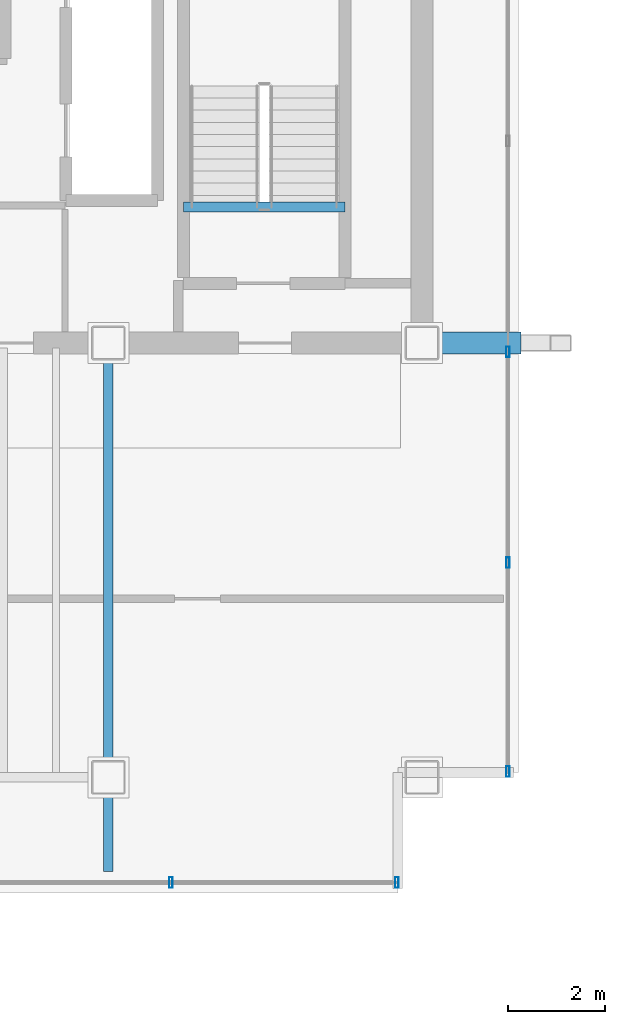
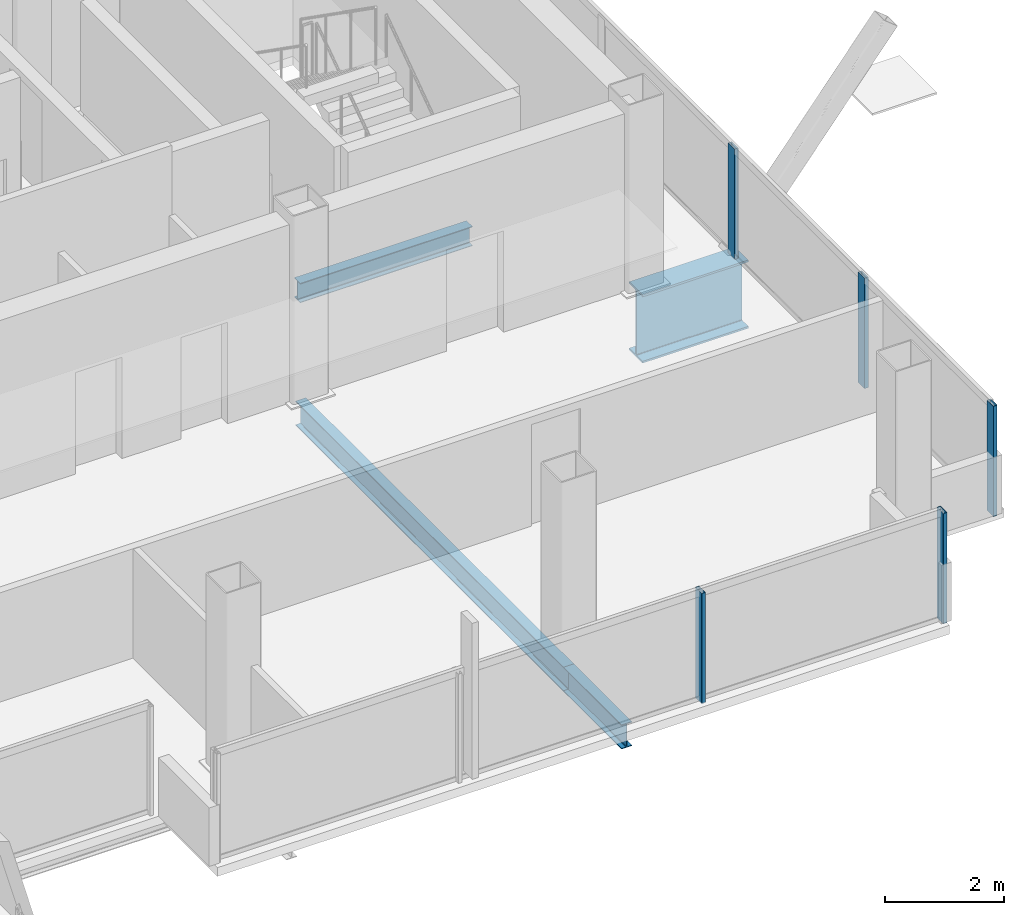
# One storey, part 10 of 16: 5 members, 4 beams, 2 elements without a shape of their own.
"""IFC4 building model written with IfcOpenShell, lengths in metres."""

from ifc_helpers import new_model, si_unit, direction, frame, origin, origin_2d, place, context, subcontext, project, spatial, hollow_rectangle, i_section, extrude, material, material_profile, profile_set, type_object, element, aggregate, save


model = new_model("IFC4")

# Units and contexts
model_context = context("Model", 3, precision=1e-05, world=origin(), true_north=direction((0.0, 1.0)))
body_context = subcontext(model_context, "Body", "Model", "MODEL_VIEW")
ifc_project = project(units=[si_unit("LENGTHUNIT", "METRE"), si_unit("AREAUNIT", "SQUARE_METRE"), si_unit("VOLUMEUNIT", "CUBIC_METRE"), si_unit("PLANEANGLEUNIT", "RADIAN"), si_unit("MASSUNIT", "GRAM", prefix="KILO")], contexts=[model_context])

# Site, building, storey
site_placement = place(None, origin())
site = spatial("IfcSite", under=ifc_project, at=site_placement, CompositionType="ELEMENT")
building_placement = place(site_placement, origin())
building = spatial("IfcBuilding", under=site, at=building_placement, Name="Noeulbin Bourse Tower", CompositionType="ELEMENT")
storey_placement = place(building_placement, frame((0.0, 0.0, 277.39990234375)))
storey = spatial("IfcBuildingStorey", under=building, at=storey_placement, Name="L69", CompositionType="ELEMENT", Elevation=277.39990234375)

# Beams
ifc_material_1 = material(Name="Steel S355", Category="steel")
ifc_material_profile_1 = material_profile(ifc_material_1, i_section(OverallWidth=0.199951171875, OverallDepth=0.5, WebThickness=0.010009765625, FlangeThickness=0.01611328125, FilletRadius=0.02001953125, at=origin_2d()), Name="H-500x200x10x16", Category="LoadBearing")
ifc_profile_set_1 = profile_set([ifc_material_profile_1], Name="Steel S355")
beam_type_1 = type_object("IfcBeamType", Name="BM-GRD-500", PredefinedType="USERDEFINED", material=ifc_profile_set_1)
beam_1_placement = place(storey_placement, frame((37.5, 18.050048828125, -0.429931640625), z_axis=(0.0, 1.0, 0.0), x_axis=(-1.0, 0.0, 0.0)))
element("IfcBeam", 1, at=beam_1_placement, inside=storey, type_object=beam_type_1, Name="Tower Primary Girder NS L69-4.1", ObjectType="GIRDER", PredefinedType="USERDEFINED", context=body_context, shape_type="SweptSolid", body=[
    extrude(i_section(OverallWidth=0.199951171875, OverallDepth=0.5, WebThickness=0.010009765625, FlangeThickness=0.01611328125, FilletRadius=0.02001953125, at=origin_2d()), origin(), (0.0, 0.0, 1.0), 1.949951171875),
])
beam_2_placement = place(storey_placement, frame((37.5, 20.0, -0.429931640625), z_axis=(0.0, 1.0, 0.0), x_axis=(-1.0, 0.0, 0.0)))
element("IfcBeam", 2, at=beam_2_placement, inside=storey, type_object=beam_type_1, Name="Tower Primary Girder NS L69-4.2", ObjectType="GIRDER", PredefinedType="USERDEFINED", context=body_context, shape_type="SweptSolid", body=[
    extrude(i_section(OverallWidth=0.199951171875, OverallDepth=0.5, WebThickness=0.010009765625, FlangeThickness=0.01611328125, FilletRadius=0.02001953125, at=origin_2d()), origin(), (0.0, 0.0, 1.0), 9.0),
])
ifc_material_profile_2 = material_profile(ifc_material_1, i_section(OverallWidth=0.199951171875, OverallDepth=0.39990234375, WebThickness=0.008056640625, FlangeThickness=0.012939453125, FilletRadius=0.01611328125, at=origin_2d()), Name="H-400x200x8x13", Category="LoadBearing")
ifc_profile_set_2 = profile_set([ifc_material_profile_2], Name="Steel S355")
beam_type_2 = type_object("IfcBeamType", Name="BM-SEC-400", PredefinedType="BEAM", material=ifc_profile_set_2)
beam_3_placement = place(storey_placement, frame((39.06005859375, 31.820068359375, -0.199951171875), z_axis=(1.0, 0.0, 0.0), x_axis=(0.0, 1.0, 0.0)))
element("IfcBeam", 3, at=beam_3_placement, inside=storey, type_object=beam_type_2, Name="Stair Threshold Trimmer Beam ST2-L69", PredefinedType="BEAM", context=body_context, shape_type="SweptSolid", body=[
    extrude(i_section(OverallWidth=0.199951171875, OverallDepth=0.39990234375, WebThickness=0.008056640625, FlangeThickness=0.012939453125, FilletRadius=0.01611328125, at=origin_2d()), origin(), (0.0, 0.0, 1.0), 3.33984375),
])
ifc_material_2 = material(Name="Steel S460", Category="steel")
ifc_material_profile_3 = material_profile(ifc_material_2, i_section(OverallWidth=0.449951171875, OverallDepth=1.39990234375, WebThickness=0.02392578125, FlangeThickness=0.0400390625, FilletRadius=0.02392578125, at=origin_2d()), Name="PG-1400x450x24x40", Category="LoadBearing")
ifc_profile_set_3 = profile_set([ifc_material_profile_3], Name="Steel S460")
beam_type_3 = type_object("IfcBeamType", Name="BM-TRF-1400", PredefinedType="USERDEFINED", material=ifc_profile_set_3)
beam_4_placement = place(storey_placement, frame((44.0, 29.0, -0.8798828125), z_axis=(1.0, 0.0, 0.0), x_axis=(0.0, 1.0, 0.0)))
element("IfcBeam", 4, at=beam_4_placement, inside=storey, type_object=beam_type_3, Name="Transfer Outrigger Corbel L69-01", ObjectType="GIRDER", PredefinedType="USERDEFINED", context=body_context, shape_type="SweptSolid", body=[
    extrude(i_section(OverallWidth=0.449951171875, OverallDepth=1.39990234375, WebThickness=0.02392578125, FlangeThickness=0.0400390625, FilletRadius=0.02392578125, at=origin_2d()), origin(), (0.0, 0.0, 1.0), 2.050048828125),
])

# Curtain wall, members
ifc_material_3 = material(Name="High-Selectivity Low-Iron Glazing", Category="glass")
curtain_wall_type = type_object("IfcCurtainWallType", Name="CW-SYS-4", PredefinedType="NOTDEFINED", material=ifc_material_3)
curtain_wall_1_placement = place(storey_placement, origin())
curtain_wall_1 = element("IfcCurtainWall", 5, at=curtain_wall_1_placement, inside=storey, type_object=curtain_wall_type, Name="Unitised Curtain Wall CW-L69-S3", PredefinedType="NOTDEFINED")
ifc_material_4 = material(Name="Anodised Aluminium 6063-T6", Category="aluminium")
ifc_material_profile_4 = material_profile(ifc_material_4, hollow_rectangle(XDim=0.074951171875, YDim=0.219970703125, WallThickness=0.0048828125, InnerFilletRadius=0.00244140625, OuterFilletRadius=0.0048828125, at=origin_2d()), Name="ALU-MULL-75x220x5", Category="LoadBearing")
ifc_profile_set_4 = profile_set([ifc_material_profile_4], Name="Anodised Aluminium 6063-T6")
member_type = type_object("IfcMemberType", Name="CW-SYS-4-MUL", PredefinedType="MULLION", material=ifc_profile_set_4)
member_1_placement = place(storey_placement, frame((38.796630859375, 17.820068359375, -0.02001953125), z_axis=(0.0, 0.0, 1.0), x_axis=(1.0, 0.0, 0.0)))
member_1 = element("IfcMember", 6, at=member_1_placement, type_object=member_type, Name="Curtain Wall Mullion CW-L69-S3-M02", PredefinedType="MULLION", context=body_context, shape_type="SweptSolid", body=[
    extrude(hollow_rectangle(XDim=0.074951171875, YDim=0.219970703125, WallThickness=0.0048828125, InnerFilletRadius=0.00244140625, OuterFilletRadius=0.0048828125, at=origin_2d()), origin(), (0.0, 0.0, 1.0), 2.260009765625),
])
member_2_placement = place(storey_placement, frame((43.47998046875, 17.820068359375, -0.02001953125), z_axis=(0.0, 0.0, 1.0), x_axis=(1.0, 0.0, 0.0)))
member_2 = element("IfcMember", 7, at=member_2_placement, type_object=member_type, Name="Curtain Wall Mullion CW-L69-S3-M03", PredefinedType="MULLION", context=body_context, shape_type="SweptSolid", body=[
    extrude(hollow_rectangle(XDim=0.074951171875, YDim=0.219970703125, WallThickness=0.0048828125, InnerFilletRadius=0.00244140625, OuterFilletRadius=0.0048828125, at=origin_2d()), origin(), (0.0, 0.0, 1.0), 2.260009765625),
])
aggregate(curtain_wall_1, [member_1, member_2])

curtain_wall_2_placement = place(storey_placement, origin())
curtain_wall_2 = element("IfcCurtainWall", 8, at=curtain_wall_2_placement, inside=storey, type_object=curtain_wall_type, Name="Unitised Curtain Wall CW-L69-E", PredefinedType="NOTDEFINED")
member_3_placement = place(storey_placement, frame((45.780029296875, 20.1201171875, -0.02001953125), z_axis=(0.0, 0.0, 1.0), x_axis=(1.0, 0.0, 0.0)))
member_3 = element("IfcMember", 9, at=member_3_placement, type_object=member_type, Name="Curtain Wall Mullion CW-L69-E-M00", PredefinedType="MULLION", context=body_context, shape_type="SweptSolid", body=[
    extrude(hollow_rectangle(XDim=0.074951171875, YDim=0.219970703125, WallThickness=0.0048828125, InnerFilletRadius=0.00244140625, OuterFilletRadius=0.0048828125, at=origin_2d()), origin(), (0.0, 0.0, 1.0), 2.260009765625),
])
member_4_placement = place(storey_placement, frame((45.780029296875, 24.447998046875, -0.02001953125), z_axis=(0.0, 0.0, 1.0), x_axis=(1.0, 0.0, 0.0)))
member_4 = element("IfcMember", 10, at=member_4_placement, type_object=member_type, Name="Curtain Wall Mullion CW-L69-E-M01", PredefinedType="MULLION", context=body_context, shape_type="SweptSolid", body=[
    extrude(hollow_rectangle(XDim=0.074951171875, YDim=0.219970703125, WallThickness=0.0048828125, InnerFilletRadius=0.00244140625, OuterFilletRadius=0.0048828125, at=origin_2d()), origin(), (0.0, 0.0, 1.0), 2.260009765625),
])
member_5_placement = place(storey_placement, frame((45.780029296875, 28.81591796875, -0.02001953125), z_axis=(0.0, 0.0, 1.0), x_axis=(1.0, 0.0, 0.0)))
member_5 = element("IfcMember", 11, at=member_5_placement, type_object=member_type, Name="Curtain Wall Mullion CW-L69-E-M02", PredefinedType="MULLION", context=body_context, shape_type="SweptSolid", body=[
    extrude(hollow_rectangle(XDim=0.074951171875, YDim=0.219970703125, WallThickness=0.0048828125, InnerFilletRadius=0.00244140625, OuterFilletRadius=0.0048828125, at=origin_2d()), origin(), (0.0, 0.0, 1.0), 2.260009765625),
])
aggregate(curtain_wall_2, [member_3, member_4, member_5])

save(model, "model.ifc")
